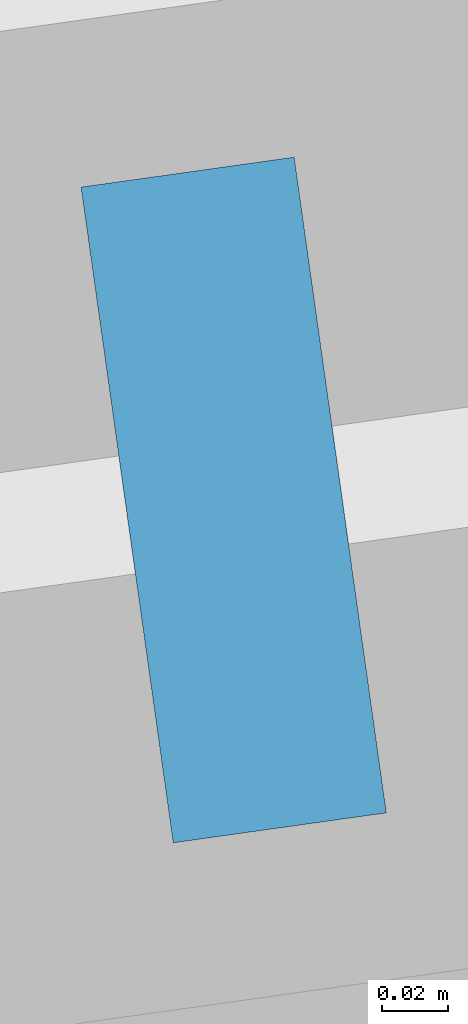
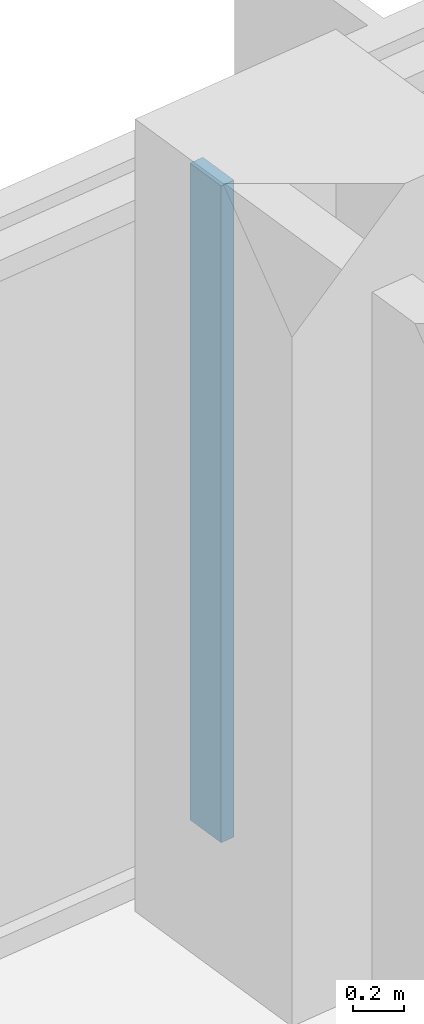
# One storey, part 17 of 46: 1 member, 1 element without a shape of its own.
"""IFC4 building model written with IfcOpenShell, lengths in metres."""

from ifc_helpers import new_model, si_unit, direction, frame, origin, origin_2d, place, context, subcontext, project, spatial, rectangle, extrude, material, material_profile, profile_set, type_object, element, aggregate, save


model = new_model("IFC4")

# Units and contexts
model_context = context("Model", 3, precision=1e-05, world=origin(), true_north=direction((0.0, 1.0)))
body_context = subcontext(model_context, "Body", "Model", "MODEL_VIEW")
ifc_project = project(units=[si_unit("LENGTHUNIT", "METRE"), si_unit("AREAUNIT", "SQUARE_METRE"), si_unit("VOLUMEUNIT", "CUBIC_METRE"), si_unit("PLANEANGLEUNIT", "RADIAN"), si_unit("MASSUNIT", "GRAM", prefix="KILO")], contexts=[model_context])

# Site, building, storey
site_placement = place(None, origin())
site = spatial("IfcSite", under=ifc_project, at=site_placement, CompositionType="ELEMENT")
building_placement = place(site_placement, origin())
building = spatial("IfcBuilding", under=site, at=building_placement, Name="Mirante Cascada Hotel Towers", CompositionType="ELEMENT")
storey_placement = place(building_placement, frame((0.0, 0.0, 39.5)))
storey = spatial("IfcBuildingStorey", under=building, at=storey_placement, Name="L06", CompositionType="ELEMENT", Elevation=39.5)

# Curtain wall, member
ifc_material_1 = material(Name="Aluminium mullion and transom frame with clear laminated glass", Category="aluminium")
curtain_wall_type = type_object("IfcCurtainWallType", Name="Ribbon curtain wall ECW1", PredefinedType="NOTDEFINED", material=ifc_material_1)
curtain_wall_placement = place(storey_placement, origin())
curtain_wall = element("IfcCurtainWall", 1, at=curtain_wall_placement, inside=storey, type_object=curtain_wall_type, Name="Front ribbon wall T2 L06", PredefinedType="NOTDEFINED")
ifc_material_2 = material(Name="Anodised aluminium extrusion", Category="aluminium")
ifc_material_profile = material_profile(ifc_material_2, rectangle(XDim=0.2, YDim=0.065, at=origin_2d()), Name="ECW1 MULLION 65x200")
ifc_profile_set = profile_set([ifc_material_profile], Name="Anodised aluminium extrusion")
member_type = type_object("IfcMemberType", Name="ECW1 mullion 65x200", PredefinedType="MULLION", material=ifc_profile_set)
member_placement = place(storey_placement, frame((63.0262, 21.6768, 0.1), z_axis=(0.0, 0.0, 1.0), x_axis=(0.1391731, -0.9902681, 0.0)))
member = element("IfcMember", 2, at=member_placement, type_object=member_type, Name="ECW1 mullion 8", PredefinedType="MULLION", context=body_context, shape_type="SweptSolid", body=[
    extrude(rectangle(XDim=0.2, YDim=0.065, at=origin_2d()), origin(), (0.0, 0.0, 1.0), 3.15),
])
aggregate(curtain_wall, [member])

save(model, "model.ifc")
